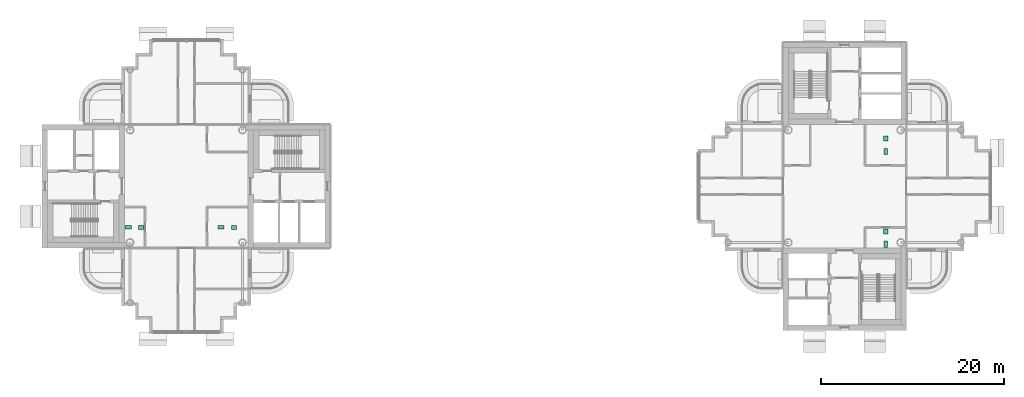
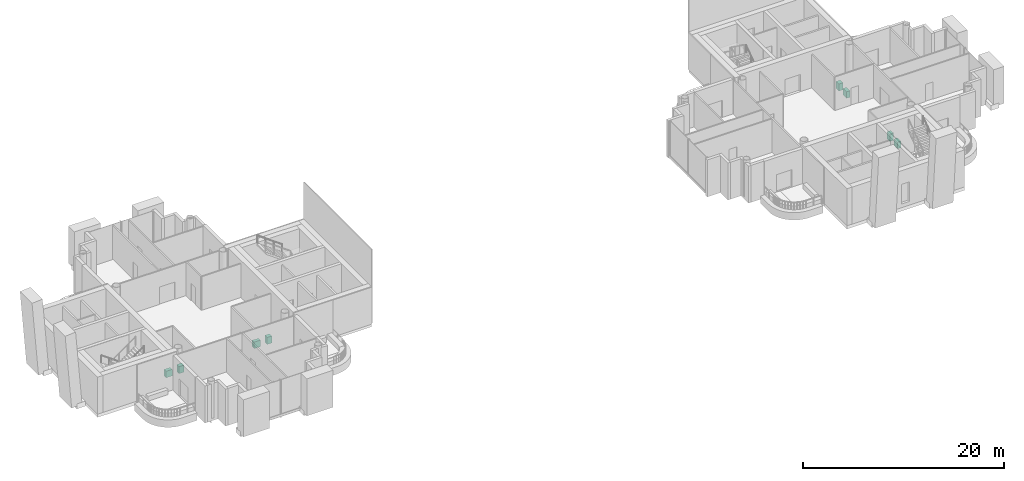
# One storey, part 20 of 20: 8 sanitary terminals.
"""IFC4 building model written with IfcOpenShell, lengths in metres."""

from ifc_helpers import new_model, si_unit, direction, frame, origin, origin_2d, place, context, subcontext, project, spatial, rectangle, extrude, material, type_object, element, save


model = new_model("IFC4")

# Units and contexts
model_context = context("Model", 3, precision=1e-05, world=origin(), true_north=direction((0.0, 1.0)))
body_context = subcontext(model_context, "Body", "Model", "MODEL_VIEW")
ifc_project = project(units=[si_unit("LENGTHUNIT", "METRE"), si_unit("AREAUNIT", "SQUARE_METRE"), si_unit("VOLUMEUNIT", "CUBIC_METRE"), si_unit("PLANEANGLEUNIT", "RADIAN"), si_unit("MASSUNIT", "GRAM", prefix="KILO")], contexts=[model_context])

# Site, building, storey
site_placement = place(None, origin())
site = spatial("IfcSite", under=ifc_project, at=site_placement, CompositionType="ELEMENT")
building_placement = place(site_placement, origin())
building = spatial("IfcBuilding", under=site, at=building_placement, Name="Ipe Terrace Towers", CompositionType="ELEMENT")
storey_placement = place(building_placement, frame((0.0, 0.0, 242.39990234375)))
storey = spatial("IfcBuildingStorey", under=building, at=storey_placement, Name="L67", CompositionType="ELEMENT", Elevation=242.39990234375)

# Sanitary terminals
ifc_material_1 = material(Name="Vitreous china", Category="ceramic")
sanitary_terminal_type_1 = type_object("IfcSanitaryTerminalType", Name="Wash basin", PredefinedType="WASHHANDBASIN", material=ifc_material_1)
for number, where, z_axis, x_axis, name in (
    (1, (-30.800048828125, -4.5, 0.0), (0.0, 0.0, 1.0), (1.0, 0.0, 0.0), "Wash basin"),
    (2, (-40.925048828125, -4.5, 0.0), (0.0, 0.0, 1.0), (1.0, 0.0, 0.0), "Wash basin"),
    (3, (40.5, 5.199951171875, 0.0), (0.0, 0.0, 1.0), (0.0, 1.0, 0.0), "Wash basin"),
    (4, (40.5, -4.925048828125, 0.0), (0.0, 0.0, 1.0), (0.0, 1.0, 0.0), "Wash basin"),
):
    element("IfcSanitaryTerminal", number, at=place(storey_placement, frame(where, z_axis=z_axis, x_axis=x_axis)), inside=storey, type_object=sanitary_terminal_type_1, Name=name, PredefinedType="WASHHANDBASIN", context=body_context, shape_type="SweptSolid", body=[
        extrude(rectangle(XDim=0.550048828125, YDim=0.449951171875, at=origin_2d()), origin(), (0.0, 0.0, 1.0), 0.85009765625),
    ])
ifc_material_2 = material(Name="Vitreous china", Category="ceramic")
sanitary_terminal_type_2 = type_object("IfcSanitaryTerminalType", Name="Water closet", PredefinedType="TOILETPAN", material=ifc_material_2)
for number, where, z_axis, x_axis, name in (
    (5, (-32.199951171875, -4.5, 0.0), (0.0, 0.0, 1.0), (1.0, 0.0, 0.0), "Water closet"),
    (6, (-42.324951171875, -4.5, 0.0), (0.0, 0.0, 1.0), (1.0, 0.0, 0.0), "Water closet"),
    (7, (40.5, 3.800048828125, 0.0), (0.0, 0.0, 1.0), (0.0, 1.0, 0.0), "Water closet"),
    (8, (40.5, -6.324951171875, 0.0), (0.0, 0.0, 1.0), (0.0, 1.0, 0.0), "Water closet"),
):
    element("IfcSanitaryTerminal", number, at=place(storey_placement, frame(where, z_axis=z_axis, x_axis=x_axis)), inside=storey, type_object=sanitary_terminal_type_2, Name=name, PredefinedType="TOILETPAN", context=body_context, shape_type="SweptSolid", body=[
        extrude(rectangle(XDim=0.699951171875, YDim=0.39990234375, at=origin_2d()), origin(), (0.0, 0.0, 1.0), 0.780029296875),
    ])

save(model, "model.ifc")
